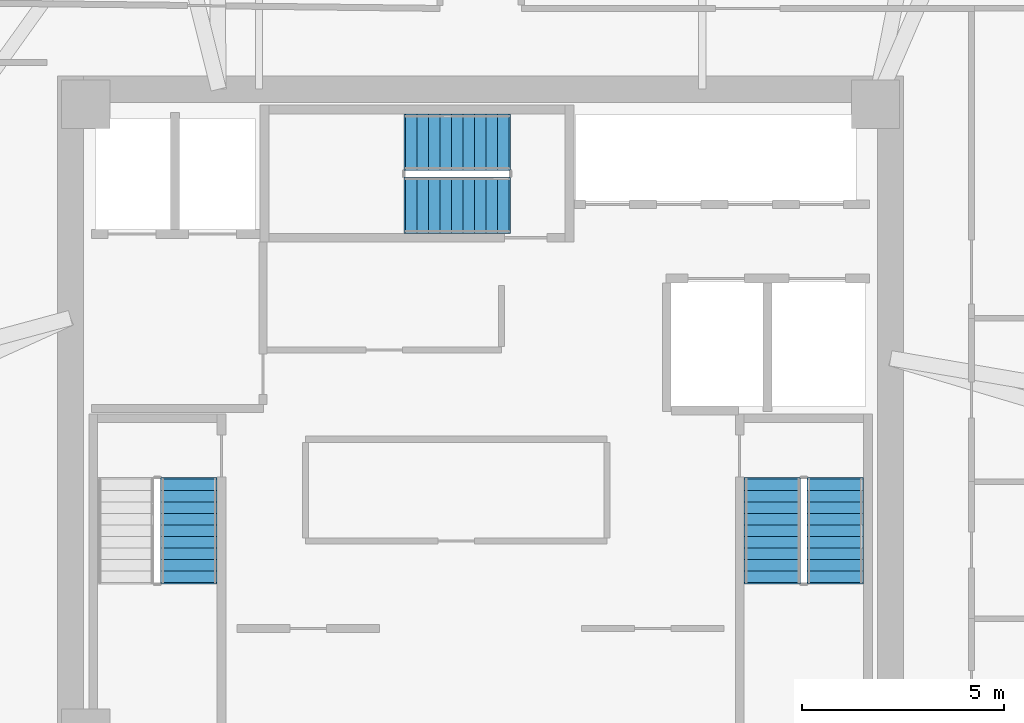
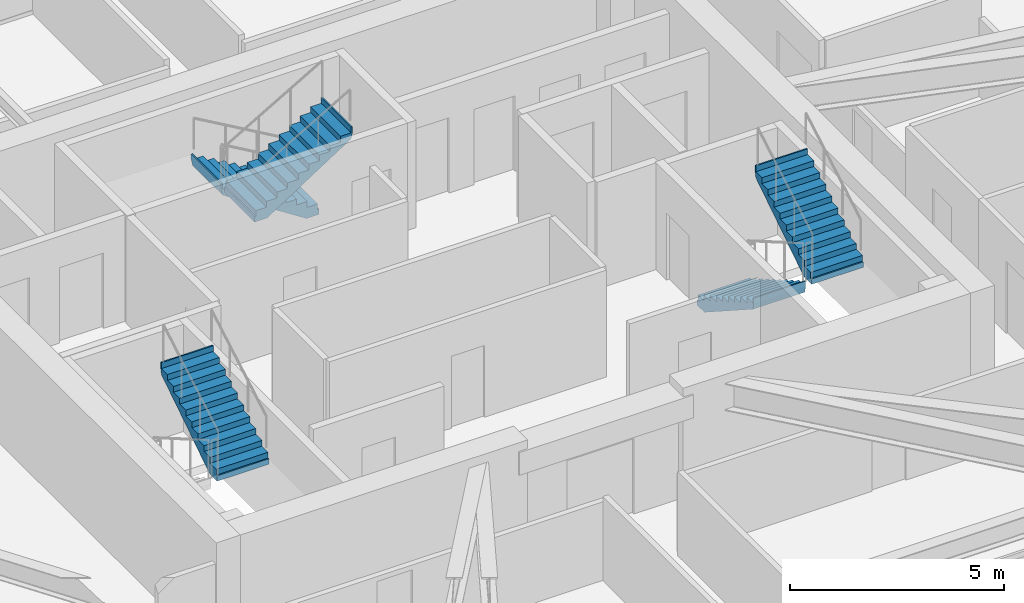
# One storey, part 10 of 11: 5 stair flights, 3 elements without a shape of their own.
"""IFC4 building model written with IfcOpenShell, lengths in metres."""

import ifcopenshell
import ifcopenshell.guid

model = None  # the IFC model being written
_history = None  # IfcOwnerHistory: only IFC2X3 demands one
_inside = {}  # id of a spatial element -> (the spatial element, [elements in it])
_under = {}  # id of a project, library or spatial element -> (it, [spatial elements below it])
_declared = {}  # id of a project -> (the project, [libraries it declares])
_typed = {}  # id of a type object -> (the type object, [elements of that type])
_made_of = {}  # id of a material, layer set ... -> (it, [elements and type objects made of it])


def new_model(schema):
    """Start an empty IFC model of exactly this schema.

    Asked for "IFC4X3", IfcOpenShell would pick the latest addendum, in which some entities
    have other attributes; the version numbers below select the first issue.
    IFC2X3 requires an IfcOwnerHistory on every rooted entity: one is made here for all.
    """
    global model, _history
    if schema == "IFC4X3":
        model = ifcopenshell.file(schema_version=(4, 3, 0, 0))
    else:
        model = ifcopenshell.file(schema=schema)
    _inside.clear()
    _under.clear()
    _declared.clear()
    _typed.clear()
    _made_of.clear()
    _history = None
    if model.schema == "IFC2X3":
        org = make("IfcOrganization", Name="unknown")
        user = make(
            "IfcPersonAndOrganization",
            ThePerson=make("IfcPerson", FamilyName="unknown"),
            TheOrganization=org,
        )
        app = make(
            "IfcApplication",
            ApplicationDeveloper=org,
            Version="unknown",
            ApplicationFullName="unknown",
            ApplicationIdentifier="unknown",
        )
        _history = make(
            "IfcOwnerHistory",
            OwningUser=user,
            OwningApplication=app,
            ChangeAction="ADDED",
            CreationDate=0,
        )
    return model


def make(cls, **values):
    """One entity of the class cls with the attributes given. An attribute that is None is left unset."""
    return model.create_entity(
        cls, **{name: value for name, value in values.items() if value is not None}
    )


def rooted(cls, **values):
    """An entity with a GlobalId (a new one), such as an element, a storey or a relation."""
    return make(cls, GlobalId=ifcopenshell.guid.new(), OwnerHistory=_history, **values)


def si_unit(unit_type, name, prefix=None):
    """IfcSIUnit, for example si_unit("LENGTHUNIT", "METRE", prefix="MILLI")."""
    return make("IfcSIUnit", UnitType=unit_type, Prefix=prefix, Name=name)


def assignment(units):
    """IfcUnitAssignment: the units of a project."""
    return None if units is None else make("IfcUnitAssignment", Units=units)


def point(xyz):
    """IfcCartesianPoint."""
    return None if xyz is None else make("IfcCartesianPoint", Coordinates=xyz)


def direction(xyz):
    """IfcDirection."""
    return None if xyz is None else make("IfcDirection", DirectionRatios=xyz)


def frame(location, z_axis=None, x_axis=None):
    """IfcAxis2Placement3D, a coordinate frame: its origin and axes. An axis left out is left unset."""
    return make(
        "IfcAxis2Placement3D",
        Location=point(location),
        Axis=direction(z_axis),
        RefDirection=direction(x_axis),
    )


def origin():
    """The frame at (0, 0, 0) with its axes left unset."""
    return frame((0.0, 0.0, 0.0))


def place(relative_to, where):
    """IfcLocalPlacement: puts the frame where relative to a parent placement (None: the world)."""
    return make(
        "IfcLocalPlacement", PlacementRelTo=relative_to, RelativePlacement=where
    )


def context(
    kind, dimensions, precision=None, world=None, true_north=None, identifier=None
):
    """IfcGeometricRepresentationContext, for example the 3D "Model" context."""
    return make(
        "IfcGeometricRepresentationContext",
        ContextIdentifier=identifier,
        ContextType=kind,
        CoordinateSpaceDimension=dimensions,
        Precision=precision,
        WorldCoordinateSystem=world,
        TrueNorth=true_north,
    )


def subcontext(parent, identifier, kind, view, scale=None):
    """IfcGeometricRepresentationSubContext, for example "Body" below "Model"."""
    return make(
        "IfcGeometricRepresentationSubContext",
        ContextIdentifier=identifier,
        ContextType=kind,
        ParentContext=parent,
        TargetScale=scale,
        TargetView=view,
    )


def project(units=None, contexts=None):
    """IfcProject with its units and contexts."""
    return rooted(
        "IfcProject",
        Name="project",
        RepresentationContexts=contexts,
        UnitsInContext=assignment(units),
    )


def spatial(cls, under=None, at=None, **own):
    """A site, building, storey or space (cls), placed at a placement, below another one or the project."""
    s = rooted(cls, ObjectPlacement=at, **own)
    if under is not None:
        _under.setdefault(under.id(), (under, []))[1].append(s)
    return s


def polyline(points):
    """IfcPolyline through the points."""
    return make("IfcPolyline", Points=[point(p) for p in points])


def outline(outer, holes=None, kind="AREA"):
    """IfcArbitraryClosedProfileDef: a profile drawn as a closed curve; with holes, ...WithVoids."""
    if holes is None:
        return make("IfcArbitraryClosedProfileDef", ProfileType=kind, OuterCurve=outer)
    return make(
        "IfcArbitraryProfileDefWithVoids",
        ProfileType=kind,
        OuterCurve=outer,
        InnerCurves=holes,
    )


def extrude(swept, where, along, depth):
    """IfcExtrudedAreaSolid: the profile swept, set in the frame where, extruded along a direction by depth."""
    return make(
        "IfcExtrudedAreaSolid",
        SweptArea=swept,
        Position=where,
        ExtrudedDirection=direction(along),
        Depth=depth,
    )


def shape(context_of_items, identifier, shape_type, items):
    """IfcShapeRepresentation: the items that make up one representation, for example the "Body"."""
    return make(
        "IfcShapeRepresentation",
        ContextOfItems=context_of_items,
        RepresentationIdentifier=identifier,
        RepresentationType=shape_type,
        Items=items,
    )


def material(Name=None, Category=None):
    """IfcMaterial."""
    return make("IfcMaterial", Name=Name, Category=Category)


def made_of(thing, what):
    """Note that an element or type object is made of a material, layer set ...; save() writes the relation."""
    if what is not None:
        _made_of.setdefault(what.id(), (what, []))[1].append(thing)
    return thing


def type_object(cls, material=None, **own):
    """A type object (cls), such as IfcWallType, which elements share."""
    return made_of(rooted(cls, **own), material)


def element(
    cls,
    number,
    at=None,
    inside=None,
    cuts=None,
    type_object=None,
    material=None,
    context=None,
    identifier="Body",
    shape_type=None,
    held_by="IfcProductDefinitionShape",
    body=None,
    shapes=None,
    **own,
):
    """One element of the class cls, such as IfcWall. Its Tag is "e" and its number.

    at: its placement. inside: the storey or other place that contains it. cuts: it is an
    opening in that element (IfcRelVoidsElement). A single representation is given by context,
    identifier, shape_type and body (its items); several are given by shapes. held_by: the class
    of the entity that holds the representations. save() writes the other relations.
    """
    e = rooted(cls, Tag="e%d" % number, ObjectPlacement=at, **own)
    if body is not None:
        shapes = [shape(context, identifier, shape_type, body)]
    if shapes is not None:
        e.Representation = make(held_by, Representations=shapes)
    if inside is not None:
        _inside.setdefault(inside.id(), (inside, []))[1].append(e)
    if cuts is not None:
        rooted(
            "IfcRelVoidsElement", RelatingBuildingElement=cuts, RelatedOpeningElement=e
        )
    if type_object is not None:
        _typed.setdefault(type_object.id(), (type_object, []))[1].append(e)
    return made_of(e, material)


def aggregate(whole, parts):
    """IfcRelAggregates: a whole, such as a stair, and the parts it consists of."""
    return rooted("IfcRelAggregates", RelatingObject=whole, RelatedObjects=parts)


def save(model, path):
    """Write the relations noted so far, then the file.

    IfcRelAggregates (storeys below a building ...), IfcRelContainedInSpatialStructure (elements
    in a storey), IfcRelDefinesByType, IfcRelAssociatesMaterial and IfcRelDeclares: one each for
    every whole, place, type object, material and project.
    """
    for whole, parts in _under.values():
        aggregate(whole, parts)
    for where, things in _inside.values():
        rooted(
            "IfcRelContainedInSpatialStructure",
            RelatedElements=things,
            RelatingStructure=where,
        )
    for kind, things in _typed.values():
        rooted("IfcRelDefinesByType", RelatedObjects=things, RelatingType=kind)
    for what, things in _made_of.values():
        rooted("IfcRelAssociatesMaterial", RelatedObjects=things, RelatingMaterial=what)
    for by, libraries in _declared.values():
        rooted("IfcRelDeclares", RelatingContext=by, RelatedDefinitions=libraries)
    model.write(path)


model = new_model("IFC4")

# Units and contexts
model_context = context("Model", 3, precision=1e-05, world=origin(), true_north=direction((0.0, 1.0)))
body_context = subcontext(model_context, "Body", "Model", "MODEL_VIEW")
ifc_project = project(units=[si_unit("LENGTHUNIT", "METRE"), si_unit("AREAUNIT", "SQUARE_METRE"), si_unit("VOLUMEUNIT", "CUBIC_METRE"), si_unit("PLANEANGLEUNIT", "RADIAN"), si_unit("MASSUNIT", "GRAM", prefix="KILO")], contexts=[model_context])

# Site, building, storey
site_placement = place(None, origin())
site = spatial("IfcSite", under=ifc_project, at=site_placement, CompositionType="ELEMENT")
building_placement = place(site_placement, origin())
building = spatial("IfcBuilding", under=site, at=building_placement, Name="Durnholm Broadcast Tower", CompositionType="ELEMENT")
storey_placement = place(building_placement, frame((0.0, 0.0, 170.5)))
storey = spatial("IfcBuildingStorey", under=building, at=storey_placement, Name="L46", CompositionType="ELEMENT", Elevation=170.5)

# Stair, stair flight
ifc_material = material(Name="Concrete C50/60", Category="concrete")
stair_type = type_object("IfcStairType", Name="STAIR-DL-20R1650", PredefinedType="HALF_TURN_STAIR", material=ifc_material)
stair_1_placement = place(storey_placement, origin())
stair_1 = element("IfcStair", 1, at=stair_1_placement, inside=storey, type_object=stair_type, Name="L46 ST-1", PredefinedType="HALF_TURN_STAIR")
stair_flight_type = type_object("IfcStairFlightType", Name="FLIGHT-DL-20R1650", PredefinedType="STRAIGHT", material=ifc_material)
stair_flight_1_placement = place(storey_placement, frame((-7.239990234375, -4.06494140625, 1.64990234375), z_axis=(0.0, 0.0, 1.0), x_axis=(0.0, 1.0, 0.0)))
stair_flight_1 = element("IfcStairFlight", 2, at=stair_flight_1_placement, type_object=stair_flight_type, Name="ST-1 flight 2", NumberOfRisers=10, NumberOfTreads=9, PredefinedType="STRAIGHT", RiserHeight=0.165, TreadLength=0.285, context=body_context, shape_type="SweptSolid", body=[
    extrude(outline(polyline([(-0.0400390625, -0.14990234375), (-0.0400390625, 0.0), (0.0, 0.0), (0.0, 0.1650390625), (0.284912109375, 0.1650390625), (0.284912109375, 0.330078125), (0.570068359375, 0.330078125), (0.570068359375, 0.4951171875), (0.85498046875, 0.4951171875), (0.85498046875, 0.659912109375), (1.139892578125, 0.659912109375), (1.139892578125, 0.824951171875), (1.425048828125, 0.824951171875), (1.425048828125, 0.989990234375), (1.7099609375, 0.989990234375), (1.7099609375, 1.155029296875), (1.9951171875, 1.155029296875), (1.9951171875, 1.320068359375), (2.280029296875, 1.320068359375), (2.280029296875, 1.485107421875), (2.56494140625, 1.485107421875), (2.56494140625, 1.64990234375), (2.60498046875, 1.64990234375), (2.60498046875, 1.5), (2.56494140625, 1.311767578125), (0.299072265625, -0.14990234375), (-0.0400390625, -0.14990234375)])), frame((0.0, 0.699951171875, 0.0), z_axis=(0.0, -1.0, 0.0), x_axis=(1.0, 0.0, 0.0)), (0.0, 0.0, 1.0), 1.39990234375),
])
aggregate(stair_1, [stair_flight_1])

# Stair, stair flights
stair_2_placement = place(storey_placement, origin())
stair_2 = element("IfcStair", 3, at=stair_2_placement, inside=storey, type_object=stair_type, Name="L46 ST-2", PredefinedType="HALF_TURN_STAIR")
stair_flight_2_placement = place(storey_placement, frame((7.239990234375, -1.5, 0.0), z_axis=(0.0, 0.0, 1.0), x_axis=(0.0, -1.0, 0.0)))
stair_flight_2 = element("IfcStairFlight", 4, at=stair_flight_2_placement, type_object=stair_flight_type, Name="ST-2 flight 1", NumberOfRisers=10, NumberOfTreads=9, PredefinedType="STRAIGHT", RiserHeight=0.165, TreadLength=0.285, context=body_context, shape_type="SweptSolid", body=[
    extrude(outline(polyline([(-0.0400390625, -0.14990234375), (-0.0400390625, 0.0), (0.0, 0.0), (0.0, 0.1650390625), (0.284912109375, 0.1650390625), (0.284912109375, 0.330078125), (0.570068359375, 0.330078125), (0.570068359375, 0.4951171875), (0.85498046875, 0.4951171875), (0.85498046875, 0.659912109375), (1.139892578125, 0.659912109375), (1.139892578125, 0.824951171875), (1.425048828125, 0.824951171875), (1.425048828125, 0.989990234375), (1.7099609375, 0.989990234375), (1.7099609375, 1.155029296875), (1.9951171875, 1.155029296875), (1.9951171875, 1.320068359375), (2.280029296875, 1.320068359375), (2.280029296875, 1.485107421875), (2.56494140625, 1.485107421875), (2.56494140625, 1.64990234375), (2.60498046875, 1.64990234375), (2.60498046875, 1.5), (2.56494140625, 1.311767578125), (0.299072265625, -0.14990234375), (-0.0400390625, -0.14990234375)])), frame((0.0, 0.699951171875, 0.0), z_axis=(0.0, -1.0, 0.0), x_axis=(1.0, 0.0, 0.0)), (0.0, 0.0, 1.0), 1.39990234375),
])
stair_flight_3_placement = place(storey_placement, frame((8.800048828125, -4.06494140625, 1.64990234375), z_axis=(0.0, 0.0, 1.0), x_axis=(0.0, 1.0, 0.0)))
stair_flight_3 = element("IfcStairFlight", 5, at=stair_flight_3_placement, type_object=stair_flight_type, Name="ST-2 flight 2", NumberOfRisers=10, NumberOfTreads=9, PredefinedType="STRAIGHT", RiserHeight=0.165, TreadLength=0.285, context=body_context, shape_type="SweptSolid", body=[
    extrude(outline(polyline([(-0.0400390625, -0.14990234375), (-0.0400390625, 0.0), (0.0, 0.0), (0.0, 0.1650390625), (0.284912109375, 0.1650390625), (0.284912109375, 0.330078125), (0.570068359375, 0.330078125), (0.570068359375, 0.4951171875), (0.85498046875, 0.4951171875), (0.85498046875, 0.659912109375), (1.139892578125, 0.659912109375), (1.139892578125, 0.824951171875), (1.425048828125, 0.824951171875), (1.425048828125, 0.989990234375), (1.7099609375, 0.989990234375), (1.7099609375, 1.155029296875), (1.9951171875, 1.155029296875), (1.9951171875, 1.320068359375), (2.280029296875, 1.320068359375), (2.280029296875, 1.485107421875), (2.56494140625, 1.485107421875), (2.56494140625, 1.64990234375), (2.60498046875, 1.64990234375), (2.60498046875, 1.5), (2.56494140625, 1.311767578125), (0.299072265625, -0.14990234375), (-0.0400390625, -0.14990234375)])), frame((0.0, 0.699951171875, 0.0), z_axis=(0.0, -1.0, 0.0), x_axis=(1.0, 0.0, 0.0)), (0.0, 0.0, 1.0), 1.39990234375),
])
aggregate(stair_2, [stair_flight_2, stair_flight_3])

stair_3_placement = place(storey_placement, origin())
stair_3 = element("IfcStair", 6, at=stair_3_placement, inside=storey, type_object=stair_type, Name="L46 ST-3", PredefinedType="HALF_TURN_STAIR")
stair_flight_4_placement = place(storey_placement, frame((0.699951171875, 6.860107421875, 0.0), z_axis=(0.0, 0.0, 1.0), x_axis=(-1.0, 0.0, 0.0)))
stair_flight_4 = element("IfcStairFlight", 7, at=stair_flight_4_placement, type_object=stair_flight_type, Name="ST-3 flight 1", NumberOfRisers=10, NumberOfTreads=9, PredefinedType="STRAIGHT", RiserHeight=0.165, TreadLength=0.285, context=body_context, shape_type="SweptSolid", body=[
    extrude(outline(polyline([(-0.0400390625, -0.14990234375), (-0.0400390625, 0.0), (0.0, 0.0), (0.0, 0.1650390625), (0.284912109375, 0.1650390625), (0.284912109375, 0.330078125), (0.570068359375, 0.330078125), (0.570068359375, 0.4951171875), (0.85498046875, 0.4951171875), (0.85498046875, 0.659912109375), (1.139892578125, 0.659912109375), (1.139892578125, 0.824951171875), (1.425048828125, 0.824951171875), (1.425048828125, 0.989990234375), (1.7099609375, 0.989990234375), (1.7099609375, 1.155029296875), (1.9951171875, 1.155029296875), (1.9951171875, 1.320068359375), (2.280029296875, 1.320068359375), (2.280029296875, 1.485107421875), (2.56494140625, 1.485107421875), (2.56494140625, 1.64990234375), (2.60498046875, 1.64990234375), (2.60498046875, 1.5), (2.56494140625, 1.311767578125), (0.299072265625, -0.14990234375), (-0.0400390625, -0.14990234375)])), frame((0.0, 0.699951171875, 0.0), z_axis=(0.0, -1.0, 0.0), x_axis=(1.0, 0.0, 0.0)), (0.0, 0.0, 1.0), 1.39990234375),
])
stair_flight_5_placement = place(storey_placement, frame((-1.864990234375, 5.300048828125, 1.64990234375), z_axis=(0.0, 0.0, 1.0), x_axis=(1.0, 0.0, 0.0)))
stair_flight_5 = element("IfcStairFlight", 8, at=stair_flight_5_placement, type_object=stair_flight_type, Name="ST-3 flight 2", NumberOfRisers=10, NumberOfTreads=9, PredefinedType="STRAIGHT", RiserHeight=0.165, TreadLength=0.285, context=body_context, shape_type="SweptSolid", body=[
    extrude(outline(polyline([(-0.0400390625, -0.14990234375), (-0.0400390625, 0.0), (0.0, 0.0), (0.0, 0.1650390625), (0.284912109375, 0.1650390625), (0.284912109375, 0.330078125), (0.570068359375, 0.330078125), (0.570068359375, 0.4951171875), (0.85498046875, 0.4951171875), (0.85498046875, 0.659912109375), (1.139892578125, 0.659912109375), (1.139892578125, 0.824951171875), (1.425048828125, 0.824951171875), (1.425048828125, 0.989990234375), (1.7099609375, 0.989990234375), (1.7099609375, 1.155029296875), (1.9951171875, 1.155029296875), (1.9951171875, 1.320068359375), (2.280029296875, 1.320068359375), (2.280029296875, 1.485107421875), (2.56494140625, 1.485107421875), (2.56494140625, 1.64990234375), (2.60498046875, 1.64990234375), (2.60498046875, 1.5), (2.56494140625, 1.311767578125), (0.299072265625, -0.14990234375), (-0.0400390625, -0.14990234375)])), frame((0.0, 0.699951171875, 0.0), z_axis=(0.0, -1.0, 0.0), x_axis=(1.0, 0.0, 0.0)), (0.0, 0.0, 1.0), 1.39990234375),
])
aggregate(stair_3, [stair_flight_4, stair_flight_5])

save(model, "model.ifc")
